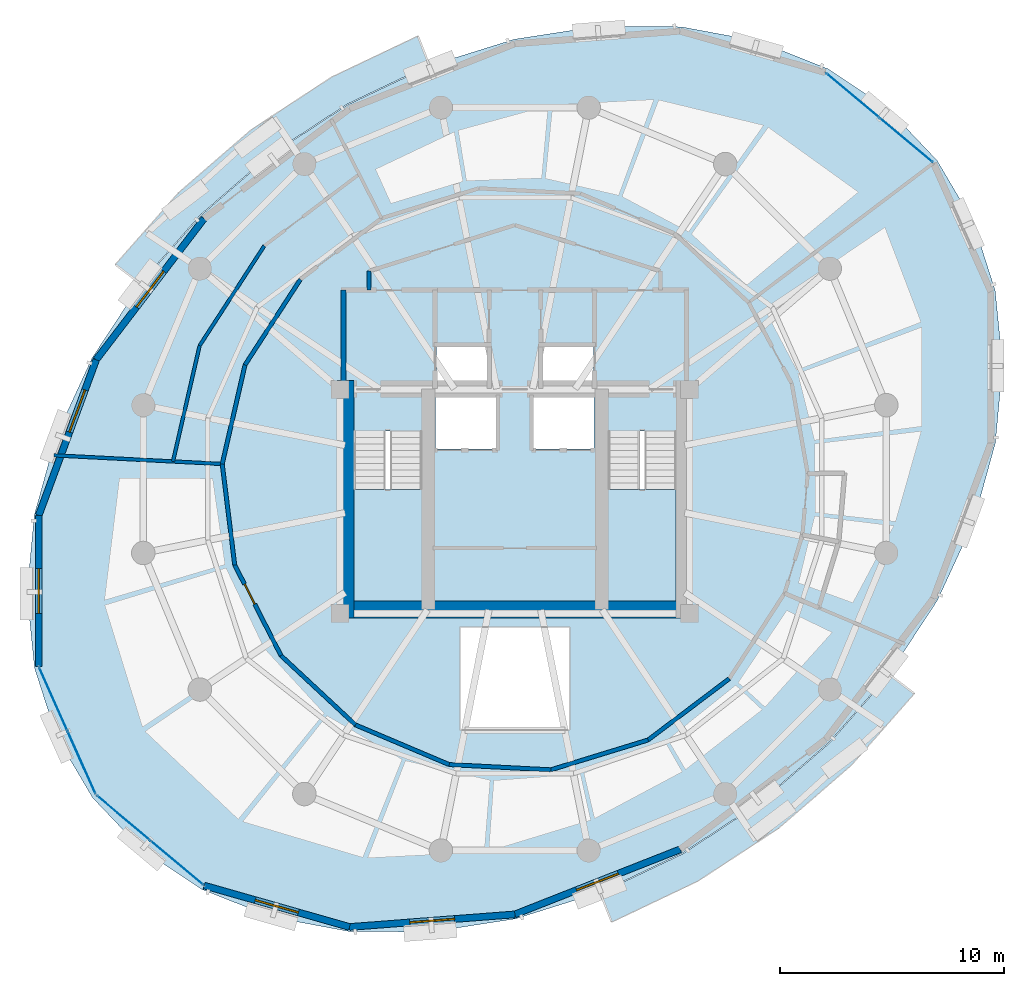
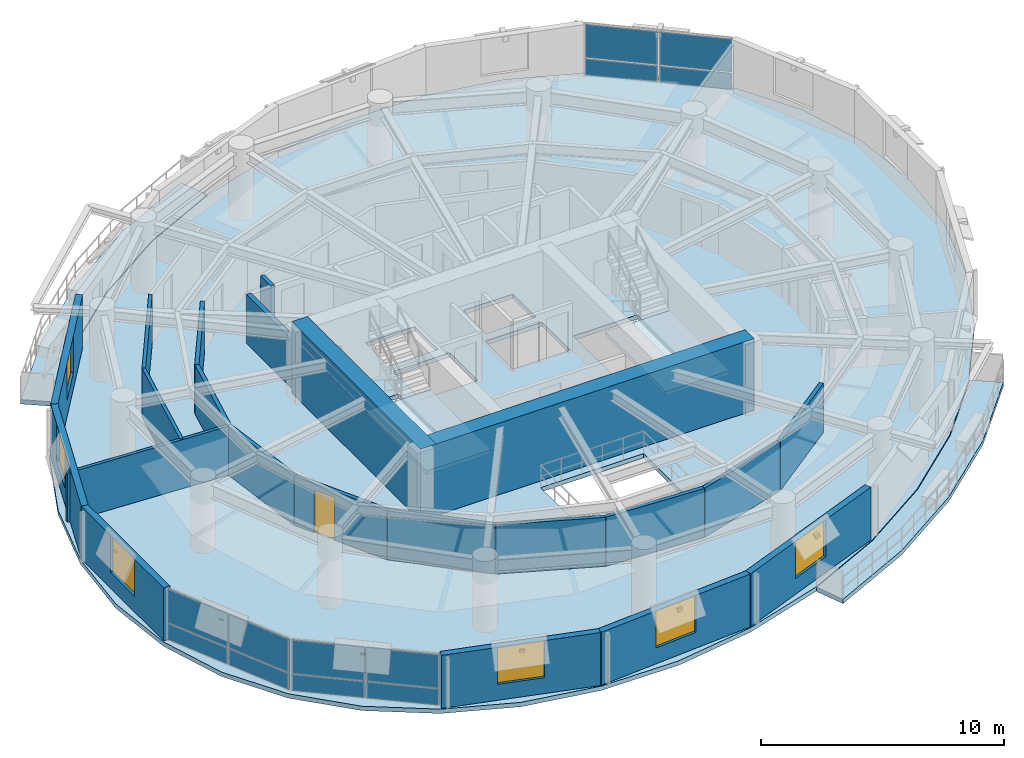
# One storey, part 7 of 12: 22 walls, 12 plates, 6 windows, 5 slabs, 1 door, 7 openings, 5 elements without a shape of their own.
"""IFC4 building model written with IfcOpenShell, lengths in metres."""

from ifc_helpers import new_model, si_unit, direction, frame, frame_2d, origin, origin_2d, place, context, subcontext, project, spatial, polyline, rectangle, outline, extrude, material, layer, layer_set, type_object, element, fill, aggregate, save


model = new_model("IFC4")

# Units and contexts
model_context = context("Model", 3, precision=1e-05, world=origin(), true_north=direction((0.0, 1.0)))
body_context = subcontext(model_context, "Body", "Model", "MODEL_VIEW")
ifc_project = project(units=[si_unit("LENGTHUNIT", "METRE"), si_unit("AREAUNIT", "SQUARE_METRE"), si_unit("VOLUMEUNIT", "CUBIC_METRE"), si_unit("PLANEANGLEUNIT", "RADIAN"), si_unit("MASSUNIT", "GRAM", prefix="KILO"), si_unit("THERMODYNAMICTEMPERATUREUNIT", "KELVIN"), si_unit("POWERUNIT", "WATT")], contexts=[model_context])

# Site, building, storey
site_placement = place(None, origin())
site = spatial("IfcSite", under=ifc_project, at=site_placement, CompositionType="ELEMENT")
building_placement = place(site_placement, origin())
building = spatial("IfcBuilding", under=site, at=building_placement, Name="Ocrelia Relay Tower", CompositionType="ELEMENT")
storey_placement = place(building_placement, frame((0.0, 0.0, 188.0)))
storey = spatial("IfcBuildingStorey", under=building, at=storey_placement, Name="L45", CompositionType="ELEMENT", Elevation=188.0)

# Curtain wall, plates
ifc_material_1 = material(Name="Aluminium and solar-control low-E glass", Category="aluminium")
ifc_layer_1 = layer(ifc_material_1, 0.179931640625, Name="Aluminium and solar-control low-E glass")
ifc_layer_set_1 = layer_set([ifc_layer_1], Name="Aluminium and solar-control low-E glass")
curtain_wall_type = type_object("IfcCurtainWallType", Name="CW-SYS-Z3-CLOU", PredefinedType="NOTDEFINED", material=ifc_layer_set_1)
curtain_wall_1_placement = place(storey_placement, origin())
curtain_wall_1 = element("IfcCurtainWall", 1, at=curtain_wall_1_placement, inside=storey, type_object=curtain_wall_type, Name="L45 Elliptical Tower Curtain Wall Bay 01", PredefinedType="NOTDEFINED")
ifc_material_2 = material(Name="Clear double-glazed low-E glass", Category="glass")
ifc_layer_2 = layer(ifc_material_2, 0.031982421875, Name="Clear double-glazed low-E glass")
ifc_layer_set_2 = layer_set([ifc_layer_2], Name="Clear double-glazed low-E glass")
plate_type = type_object("IfcPlateType", Name="CW-SYS-Z3-CLOU-PNL", PredefinedType="CURTAIN_PANEL", material=ifc_layer_set_2)
plate_1_placement = place(storey_placement, frame((51.459716796875, 41.1181640625, 0.06005859375), z_axis=(0.0, 0.0, 1.0), x_axis=(-0.766386416284, 0.642379841632, 0.0)))
plate_1 = element("IfcPlate", 2, at=plate_1_placement, type_object=plate_type, Name="CW-Z3 panel 1.1", PredefinedType="CURTAIN_PANEL", context=body_context, shape_type="SweptSolid", body=[
    extrude(rectangle(XDim=3.0439453125, YDim=0.031982421875, at=origin_2d()), origin(), (0.0, 0.0, 1.0), 0.81005859375),
])
plate_2_placement = place(storey_placement, frame((51.459716796875, 41.1181640625, 0.929931640625), z_axis=(0.0, 0.0, 1.0), x_axis=(-0.766386416284, 0.642379841632, 0.0)))
plate_2 = element("IfcPlate", 3, at=plate_2_placement, type_object=plate_type, Name="CW-Z3 panel 1.2", PredefinedType="CURTAIN_PANEL", context=body_context, shape_type="SweptSolid", body=[
    extrude(rectangle(XDim=3.0439453125, YDim=0.031982421875, at=origin_2d()), origin(), (0.0, 0.0, 1.0), 1.669921875),
])
plate_3_placement = place(storey_placement, frame((49.076904296875, 43.115234375, 0.06005859375), z_axis=(0.0, 0.0, 1.0), x_axis=(-0.766386416284, 0.642379841632, 0.0)))
plate_3 = element("IfcPlate", 4, at=plate_3_placement, type_object=plate_type, Name="CW-Z3 panel 2.1", PredefinedType="CURTAIN_PANEL", context=body_context, shape_type="SweptSolid", body=[
    extrude(rectangle(XDim=3.0439453125, YDim=0.031982421875, at=origin_2d()), origin(), (0.0, 0.0, 1.0), 0.81005859375),
])
plate_4_placement = place(storey_placement, frame((49.076904296875, 43.115234375, 0.929931640625), z_axis=(0.0, 0.0, 1.0), x_axis=(-0.766386416284, 0.642379841632, 0.0)))
plate_4 = element("IfcPlate", 5, at=plate_4_placement, type_object=plate_type, Name="CW-Z3 panel 2.2", PredefinedType="CURTAIN_PANEL", context=body_context, shape_type="SweptSolid", body=[
    extrude(rectangle(XDim=3.0439453125, YDim=0.031982421875, at=origin_2d()), origin(), (0.0, 0.0, 1.0), 1.669921875),
])
aggregate(curtain_wall_1, [plate_1, plate_2, plate_3, plate_4])

curtain_wall_2_placement = place(storey_placement, origin())
curtain_wall_2 = element("IfcCurtainWall", 6, at=curtain_wall_2_placement, inside=storey, type_object=curtain_wall_type, Name="L45 Elliptical Tower Curtain Wall Bay 09", PredefinedType="NOTDEFINED")
plate_5_placement = place(storey_placement, frame((13.408935546875, 16.188720703125, 0.06005859375), z_axis=(0.0, 0.0, 1.0), x_axis=(0.407850854361, -0.913048564205, 0.0)))
plate_5 = element("IfcPlate", 7, at=plate_5_placement, type_object=plate_type, Name="CW-Z3 panel 1.1", PredefinedType="CURTAIN_PANEL", context=body_context, shape_type="SweptSolid", body=[
    extrude(rectangle(XDim=3.0439453125, YDim=0.031982421875, at=origin_2d()), origin(), (0.0, 0.0, 1.0), 0.81005859375),
])
plate_6_placement = place(storey_placement, frame((13.408935546875, 16.188720703125, 0.929931640625), z_axis=(0.0, 0.0, 1.0), x_axis=(0.407850854361, -0.913048564205, 0.0)))
plate_6 = element("IfcPlate", 8, at=plate_6_placement, type_object=plate_type, Name="CW-Z3 panel 1.2", PredefinedType="CURTAIN_PANEL", context=body_context, shape_type="SweptSolid", body=[
    extrude(rectangle(XDim=3.0439453125, YDim=0.031982421875, at=origin_2d()), origin(), (0.0, 0.0, 1.0), 1.669921875),
])
plate_7_placement = place(storey_placement, frame((14.677001953125, 13.35009765625, 0.06005859375), z_axis=(0.0, 0.0, 1.0), x_axis=(0.407850854361, -0.913048564205, 0.0)))
plate_7 = element("IfcPlate", 9, at=plate_7_placement, type_object=plate_type, Name="CW-Z3 panel 2.1", PredefinedType="CURTAIN_PANEL", context=body_context, shape_type="SweptSolid", body=[
    extrude(rectangle(XDim=3.0439453125, YDim=0.031982421875, at=origin_2d()), origin(), (0.0, 0.0, 1.0), 0.81005859375),
])
plate_8_placement = place(storey_placement, frame((14.677001953125, 13.35009765625, 0.929931640625), z_axis=(0.0, 0.0, 1.0), x_axis=(0.407850854361, -0.913048564205, 0.0)))
plate_8 = element("IfcPlate", 10, at=plate_8_placement, type_object=plate_type, Name="CW-Z3 panel 2.2", PredefinedType="CURTAIN_PANEL", context=body_context, shape_type="SweptSolid", body=[
    extrude(rectangle(XDim=3.0439453125, YDim=0.031982421875, at=origin_2d()), origin(), (0.0, 0.0, 1.0), 1.669921875),
])
aggregate(curtain_wall_2, [plate_5, plate_6, plate_7, plate_8])

curtain_wall_3_placement = place(storey_placement, origin())
curtain_wall_3 = element("IfcCurtainWall", 11, at=curtain_wall_3_placement, inside=storey, type_object=curtain_wall_type, Name="L45 Elliptical Tower Curtain Wall Bay 10", PredefinedType="NOTDEFINED")
plate_9_placement = place(storey_placement, frame((16.540283203125, 10.8818359375, 0.06005859375), z_axis=(0.0, 0.0, 1.0), x_axis=(0.766386416284, -0.642379841632, 0.0)))
plate_9 = element("IfcPlate", 12, at=plate_9_placement, type_object=plate_type, Name="CW-Z3 panel 1.1", PredefinedType="CURTAIN_PANEL", context=body_context, shape_type="SweptSolid", body=[
    extrude(rectangle(XDim=3.0439453125, YDim=0.031982421875, at=origin_2d()), origin(), (0.0, 0.0, 1.0), 0.81005859375),
])
plate_10_placement = place(storey_placement, frame((16.540283203125, 10.8818359375, 0.929931640625), z_axis=(0.0, 0.0, 1.0), x_axis=(0.766386416284, -0.642379841632, 0.0)))
plate_10 = element("IfcPlate", 13, at=plate_10_placement, type_object=plate_type, Name="CW-Z3 panel 1.2", PredefinedType="CURTAIN_PANEL", context=body_context, shape_type="SweptSolid", body=[
    extrude(rectangle(XDim=3.0439453125, YDim=0.031982421875, at=origin_2d()), origin(), (0.0, 0.0, 1.0), 1.669921875),
])
plate_11_placement = place(storey_placement, frame((18.923095703125, 8.884765625, 0.06005859375), z_axis=(0.0, 0.0, 1.0), x_axis=(0.766386416284, -0.642379841632, 0.0)))
plate_11 = element("IfcPlate", 14, at=plate_11_placement, type_object=plate_type, Name="CW-Z3 panel 2.1", PredefinedType="CURTAIN_PANEL", context=body_context, shape_type="SweptSolid", body=[
    extrude(rectangle(XDim=3.0439453125, YDim=0.031982421875, at=origin_2d()), origin(), (0.0, 0.0, 1.0), 0.81005859375),
])
plate_12_placement = place(storey_placement, frame((18.923095703125, 8.884765625, 0.929931640625), z_axis=(0.0, 0.0, 1.0), x_axis=(0.766386416284, -0.642379841632, 0.0)))
plate_12 = element("IfcPlate", 15, at=plate_12_placement, type_object=plate_type, Name="CW-Z3 panel 2.2", PredefinedType="CURTAIN_PANEL", context=body_context, shape_type="SweptSolid", body=[
    extrude(rectangle(XDim=3.0439453125, YDim=0.031982421875, at=origin_2d()), origin(), (0.0, 0.0, 1.0), 1.669921875),
])
aggregate(curtain_wall_3, [plate_9, plate_10, plate_11, plate_12])

# Slabs
ifc_material_3 = material(Name="Precast concrete C40/50", Category="concrete")
ifc_layer_3 = layer(ifc_material_3, 0.219970703125, Name="Precast concrete C40/50")
ifc_layer_set_3 = layer_set([ifc_layer_3], Name="Precast concrete C40/50")
slab_type_1 = type_object("IfcSlabType", Name="SL-BALC-220", PredefinedType="FLOOR", material=ifc_layer_set_3)
slab_1_placement = place(storey_placement, frame((0.0, 0.0, -0.219970703125)))
element("IfcSlab", 16, at=slab_1_placement, inside=storey, type_object=slab_type_1, Name="L45 Planted Loggia Balcony B1", PredefinedType="FLOOR", context=body_context, shape_type="SweptSolid", body=[
    extrude(outline(polyline([(30.183349609375, 44.4658203125), (28.349853515625, 43.59375), (26.51611328125, 42.7216796875), (23.076416015625, 40.4697265625), (19.96826171875, 37.778564453125), (18.627197265625, 36.25390625), (17.2861328125, 34.7294921875), (16.177734375, 35.573974609375), (17.58251953125, 37.170654296875), (18.987060546875, 38.767578125), (22.237060546875, 41.581787109375), (25.833984375, 43.936279296875), (27.75439453125, 44.849853515625), (29.6748046875, 45.76318359375), (30.183349609375, 44.4658203125)])), origin(), (0.0, 0.0, 1.0), 0.219970703125),
])
slab_2_placement = place(storey_placement, frame((0.0, 0.0, -0.219970703125)))
element("IfcSlab", 17, at=slab_2_placement, inside=storey, type_object=slab_type_1, Name="L45 Planted Loggia Balcony B2", PredefinedType="FLOOR", context=body_context, shape_type="SweptSolid", body=[
    extrude(outline(polyline([(37.816650390625, 7.5341796875), (39.650146484375, 8.40625), (41.48388671875, 9.2783203125), (44.923583984375, 11.5302734375), (48.03173828125, 14.221435546875), (49.372802734375, 15.74609375), (50.7138671875, 17.2705078125), (51.822265625, 16.426025390625), (50.41748046875, 14.8291015625), (49.012939453125, 13.232421875), (45.762939453125, 10.418212890625), (42.166015625, 8.063720703125), (40.24560546875, 7.150146484375), (38.3251953125, 6.23681640625), (37.816650390625, 7.5341796875)])), origin(), (0.0, 0.0, 1.0), 0.219970703125),
])
ifc_material_4 = material(Name="Concrete C50/60", Category="concrete")
ifc_layer_4 = layer(ifc_material_4, 0.219970703125, Name="Concrete C50/60")
ifc_layer_set_4 = layer_set([ifc_layer_4], Name="Concrete C50/60")
slab_type_2 = type_object("IfcSlabType", Name="SL-FLR-220", PredefinedType="FLOOR", material=ifc_layer_set_4)
slab_3_placement = place(storey_placement, frame((0.0, 0.0, -0.219970703125)))
element("IfcSlab", 18, at=slab_3_placement, inside=storey, type_object=slab_type_2, Name="L45 Elliptical Tower Floor Slab", PredefinedType="FLOOR", context=body_context, shape_type="SweptSolid", body=[
    extrude(outline(polyline([(52.83544921875, 40.21923828125), (50.655517578125, 42.51171875), (47.969482421875, 44.302490234375), (44.859130859375, 45.537109375), (41.4189453125, 46.17822265625), (37.753173828125, 46.2060546875), (33.973388671875, 45.6201171875), (30.1943359375, 44.43798828125), (26.531005859375, 42.695556640625), (23.094482421875, 40.44580078125), (19.989501953125, 37.757080078125), (17.31005859375, 34.711181640625), (15.137939453125, 31.40087890625), (13.538818359375, 27.926025390625), (12.561279296875, 24.39306640625), (12.2353515625, 20.90869140625), (12.570556640625, 17.5791015625), (13.556884765625, 14.505126953125), (15.16455078125, 11.78076171875), (17.344482421875, 9.48828125), (20.030517578125, 7.697509765625), (23.140869140625, 6.462890625), (26.5810546875, 5.82177734375), (30.246826171875, 5.7939453125), (34.026611328125, 6.3798828125), (37.8056640625, 7.56201171875), (41.468994140625, 9.304443359375), (44.905517578125, 11.55419921875), (48.010498046875, 14.242919921875), (50.68994140625, 17.288818359375), (52.862060546875, 20.59912109375), (54.461181640625, 24.073974609375), (55.438720703125, 27.60693359375), (55.7646484375, 31.09130859375), (55.429443359375, 34.4208984375), (54.443115234375, 37.494873046875), (52.83544921875, 40.21923828125)]), holes=[polyline([(26.81005859375, 28.14990234375), (26.81005859375, 20.550048828125), (29.85009765625, 20.550048828125), (29.85009765625, 28.14990234375), (26.81005859375, 28.14990234375)]), polyline([(38.159912109375, 28.14990234375), (38.159912109375, 20.550048828125), (41.199951171875, 20.550048828125), (41.199951171875, 28.14990234375), (38.159912109375, 28.14990234375)]), polyline([(30.4599609375, 27.35009765625), (33.159912109375, 27.35009765625), (33.159912109375, 29.64990234375), (30.4599609375, 29.64990234375), (30.4599609375, 27.35009765625)]), polyline([(34.840087890625, 27.35009765625), (37.5400390625, 27.35009765625), (37.5400390625, 29.64990234375), (34.840087890625, 29.64990234375), (34.840087890625, 27.35009765625)]), polyline([(30.5, 30.10009765625), (32.85009765625, 30.10009765625), (32.85009765625, 32.0), (30.5, 32.0), (30.5, 30.10009765625)]), polyline([(35.14990234375, 30.10009765625), (37.5, 30.10009765625), (37.5, 32.0), (35.14990234375, 32.0), (35.14990234375, 30.10009765625)]), polyline([(31.550048828125, 14.800048828125), (36.449951171875, 14.800048828125), (36.449951171875, 19.39990234375), (31.550048828125, 19.39990234375), (31.550048828125, 14.800048828125)])]), origin(), (0.0, 0.0, 1.0), 0.219970703125),
])

# Stair, slab
stair_type = type_object("IfcStairType", Name="ST-DL-1420-R180", PredefinedType="HALF_TURN_STAIR", material=ifc_material_4)
stair_1_placement = place(storey_placement, origin())
stair_1 = element("IfcStair", 19, at=stair_1_placement, inside=storey, type_object=stair_type, Name="L45 West Core Exit Stair ST1", PredefinedType="HALF_TURN_STAIR")
ifc_layer_5 = layer(ifc_material_4, 0.199951171875, Name="Concrete C50/60")
ifc_layer_set_5 = layer_set([ifc_layer_5], Name="Concrete C50/60")
slab_type_3 = type_object("IfcSlabType", Name="SL-LANDING-200", PredefinedType="LANDING", material=ifc_layer_set_5)
slab_4_placement = place(storey_placement, frame((0.0, 0.0, 1.60009765625)))
slab_4 = element("IfcSlab", 20, at=slab_4_placement, type_object=slab_type_3, Name="ST1 landing 1", PredefinedType="LANDING", context=body_context, shape_type="SweptSolid", body=[
    extrude(outline(polyline([(26.81005859375, 25.5400390625), (26.81005859375, 20.550048828125), (29.85009765625, 20.550048828125), (29.85009765625, 25.5400390625), (26.81005859375, 25.5400390625)])), origin(), (0.0, 0.0, 1.0), 0.199951171875),
])
aggregate(stair_1, [slab_4])

stair_2_placement = place(storey_placement, origin())
stair_2 = element("IfcStair", 21, at=stair_2_placement, inside=storey, type_object=stair_type, Name="L45 East Core Exit Stair ST2", PredefinedType="HALF_TURN_STAIR")
slab_5_placement = place(storey_placement, frame((0.0, 0.0, 1.60009765625)))
slab_5 = element("IfcSlab", 22, at=slab_5_placement, type_object=slab_type_3, Name="ST2 landing 1", PredefinedType="LANDING", context=body_context, shape_type="SweptSolid", body=[
    extrude(outline(polyline([(38.159912109375, 25.5400390625), (38.159912109375, 20.550048828125), (41.199951171875, 20.550048828125), (41.199951171875, 25.5400390625), (38.159912109375, 25.5400390625)])), origin(), (0.0, 0.0, 1.0), 0.199951171875),
])
aggregate(stair_2, [slab_5])

# Walls
ifc_material_5 = material(Name="Concrete C60/75", Category="concrete")
ifc_layer_6 = layer(ifc_material_5, 0.75, Name="Concrete C60/75")
ifc_layer_set_6 = layer_set([ifc_layer_6], Name="Concrete C60/75")
wall_type_1 = type_object("IfcWallType", Name="CW-CORE-750", PredefinedType="SHEAR", material=ifc_layer_set_6)
wall_1_placement = place(storey_placement, frame((26.072021484375, 20.18701171875, 0.0), z_axis=(0.0, 0.0, 1.0), x_axis=(1.0, 0.0, 0.0)))
element("IfcWall", 23, at=wall_1_placement, inside=storey, type_object=wall_type_1, Name="L45 Core Shear Wall S", PredefinedType="SHEAR", context=body_context, shape_type="SweptSolid", body=[
    extrude(rectangle(XDim=15.865966796875, YDim=0.75, at=frame_2d((7.93310546875, 0.0))), origin(), (0.0, 0.0, 1.0), 3.60009765625),
])
wall_2_placement = place(storey_placement, frame((26.447021484375, 19.81201171875, 0.0), z_axis=(0.0, 0.0, 1.0), x_axis=(0.0, 1.0, 0.0)))
element("IfcWall", 24, at=wall_2_placement, inside=storey, type_object=wall_type_1, Name="L45 Core Shear Wall W", PredefinedType="SHEAR", context=body_context, shape_type="SweptSolid", body=[
    extrude(rectangle(XDim=10.575927734375, YDim=0.75, at=frame_2d((5.2880859375, 0.0))), origin(), (0.0, 0.0, 1.0), 3.60009765625),
])
ifc_material_6 = material(Name="Gypsum Fireboard Partition EI60", Category="gypsum")
ifc_layer_7 = layer(ifc_material_6, 0.179931640625, Name="Gypsum Fireboard Partition EI60")
ifc_layer_set_7 = layer_set([ifc_layer_7], Name="Gypsum Fireboard Partition EI60")
wall_type_2 = type_object("IfcWallType", Name="W-CORR-EI60-180", PredefinedType="PARTITIONING", material=ifc_layer_set_7)
wall_3_placement = place(storey_placement, frame((27.5, 34.429931640625, 0.0), z_axis=(0.0, 0.0, 1.0), x_axis=(0.0, 1.0, 0.0)))
element("IfcWall", 25, at=wall_3_placement, inside=storey, type_object=wall_type_2, Name="L45 Smoke Lobby West Return", PredefinedType="PARTITIONING", context=body_context, shape_type="SweptSolid", body=[
    extrude(rectangle(XDim=0.85009765625, YDim=0.179931640625, at=frame_2d((0.425048828125, 0.0))), origin(), (0.0, 0.0, 1.0), 2.4599609375),
])
wall_4_placement = place(storey_placement, frame((24.433349609375, 34.905517578125, 0.0), z_axis=(0.0, 0.0, 1.0), x_axis=(-0.543880023755, -0.839162987601, 0.0)))
element("IfcWall", 26, at=wall_4_placement, inside=storey, type_object=wall_type_2, Name="L45 Executive Reading Study Corridor Partition 2", PredefinedType="PARTITIONING", context=body_context, shape_type="SweptSolid", body=[
    extrude(rectangle(XDim=4.5390625, YDim=0.179931640625, at=frame_2d((2.26953125, 0.0))), origin(), (0.0, 0.0, 1.0), 2.4599609375),
])
for number, where, z_axis, x_axis, name in (
    (27, (21.964599609375, 31.096435546875, 0.0), (0.0, 0.0, 1.0), (-0.224117043867, -0.97456223539, 0.0), "L45 Executive Reading Study Corridor Partition 3"),
    (28, (20.947265625, 26.672607421875, 0.0), (0.0, 0.0, 1.0), (0.12273717097, -0.992439210663, 0.0), "L45 Quiet Day Study Corridor Partition 1"),
):
    element("IfcWall", number, at=place(storey_placement, frame(where, z_axis=z_axis, x_axis=x_axis)), inside=storey, type_object=wall_type_2, Name=name, PredefinedType="PARTITIONING", context=body_context, shape_type="SweptSolid", body=[
        extrude(rectangle(XDim=4.539306640625, YDim=0.179931640625, at=frame_2d((2.26953125, 0.0))), origin(), (0.0, 0.0, 1.0), 2.4599609375),
    ])

# Wall, opening, door
wall_5_placement = place(storey_placement, frame((21.50439453125, 22.167724609375, 0.0), z_axis=(0.0, 0.0, 1.0), x_axis=(0.454770802501, -0.890608509499, 0.0)))
wall_5 = element("IfcWall", 29, at=wall_5_placement, inside=storey, type_object=wall_type_2, Name="L45 Quiet Day Study Corridor Partition 2", PredefinedType="PARTITIONING", context=body_context, shape_type="SweptSolid", body=[
    extrude(rectangle(XDim=4.5390625, YDim=0.179931640625, at=frame_2d((2.26953125, 0.0))), origin(), (0.0, 0.0, 1.0), 2.4599609375),
])
opening_1_placement = place(wall_5_placement, frame((0.959716796875, 0.0, 0.0)))
opening_1 = element("IfcOpeningElement", 30, at=opening_1_placement, cuts=wall_5, Name="Opening D-RM100", PredefinedType="OPENING", context=body_context, shape_type="SweptSolid", body=[
    extrude(rectangle(XDim=1.0, YDim=2.14990234375, at=frame_2d((0.5, 1.074951171875))), frame((0.0, 0.10009765625, 0.0), z_axis=(0.0, -1.0, 0.0), x_axis=(1.0, 0.0, 0.0)), (0.0, 0.0, 1.0), 0.199951171875),
])
ifc_material_7 = material(Name="Acoustic oak veneer fire door", Category="wood")
door_type = type_object("IfcDoorType", Name="DR-ROOM-FD60-1000", OperationType="NOTDEFINED", PredefinedType="DOOR", material=ifc_material_7)
door_placement = place(opening_1_placement, origin())
door = element("IfcDoor", 31, at=door_placement, inside=storey, type_object=door_type, Name="L45 Quiet Day Study Entrance Door", OperationType="SINGLE_SWING_RIGHT", OverallHeight=2.14990234375, OverallWidth=1.0, PredefinedType="DOOR", context=body_context, shape_type="SweptSolid", body=[
    extrude(rectangle(XDim=1.0, YDim=2.14990234375, at=frame_2d((0.5, 1.074951171875))), frame((0.0, 0.02490234375, 0.0), z_axis=(0.0, -1.0, 0.0), x_axis=(1.0, 0.0, 0.0)), (0.0, 0.0, 1.0), 0.050048828125),
])
fill(opening_1, door)

# Walls
for number, where, z_axis, x_axis, name in (
    (32, (23.568603515625, 18.125244140625, 0.0), (0.0, 0.0, 1.0), (0.731959643507, -0.681347987652, 0.0), "L45 Quiet Day Study Corridor Partition 3"),
    (33, (26.89111328125, 15.032470703125, 0.0), (0.0, 0.0, 1.0), (0.92084175152, -0.389936493109, 0.0), "L45 Quiet Day Study Corridor Partition 4"),
    (34, (31.071044921875, 13.262451171875, 0.0), (0.0, 0.0, 1.0), (0.998674439875, -0.051471964614, 0.0), "L45 Quiet Day Study Corridor Partition 5"),
):
    element("IfcWall", number, at=place(storey_placement, frame(where, z_axis=z_axis, x_axis=x_axis)), inside=storey, type_object=wall_type_2, Name=name, PredefinedType="PARTITIONING", context=body_context, shape_type="SweptSolid", body=[
        extrude(rectangle(XDim=4.539306640625, YDim=0.179931640625, at=frame_2d((2.26953125, 0.0))), origin(), (0.0, 0.0, 1.0), 2.4599609375),
    ])
for number, where, z_axis, x_axis, name in (
    (35, (35.604248046875, 13.02880859375, 0.0), (0.0, 0.0, 1.0), (0.956054208196, 0.29318995718, 0.0), "L45 Quiet Day Study Corridor Partition 6"),
    (36, (39.94384765625, 14.359619140625, 0.0), (0.0, 0.0, 1.0), (0.798117902905, 0.602501297146, 0.0), "L45 Quiet Day Study Corridor Partition 7"),
):
    element("IfcWall", number, at=place(storey_placement, frame(where, z_axis=z_axis, x_axis=x_axis)), inside=storey, type_object=wall_type_2, Name=name, PredefinedType="PARTITIONING", context=body_context, shape_type="SweptSolid", body=[
        extrude(rectangle(XDim=4.5390625, YDim=0.179931640625, at=frame_2d((2.26953125, 0.0))), origin(), (0.0, 0.0, 1.0), 2.4599609375),
    ])

# Wall, opening, window
ifc_material_8 = material(Name="Precast concrete C40/50 with oxide terracotta", Category="masonry")
ifc_layer_8 = layer(ifc_material_8, 0.300048828125, Name="Precast concrete C40/50 with oxide terracotta")
ifc_layer_set_8 = layer_set([ifc_layer_8], Name="Precast concrete C40/50 with oxide terracotta")
wall_type_3 = type_object("IfcWallType", Name="W-EXT-TERR-300", PredefinedType="SOLIDWALL", material=ifc_layer_set_8)
wall_6_placement = place(storey_placement, frame((20.135986328125, 37.620849609375, 0.0), z_axis=(0.0, 0.0, 1.0), x_axis=(-0.607272903693, -0.794493310507, 0.0)))
wall_6 = element("IfcWall", 37, at=wall_6_placement, inside=storey, type_object=wall_type_3, Name="L45 Oxide Terracotta Facade Wall 06", PredefinedType="SOLIDWALL", context=body_context, shape_type="SweptSolid", body=[
    extrude(rectangle(XDim=7.92724609375, YDim=0.300048828125, at=frame_2d((3.963623046875, 0.0))), origin(), (0.0, 0.0, 1.0), 2.659912109375),
])
opening_2_placement = place(wall_6_placement, frame((2.964111328125, 0.0, 0.800048828125)))
opening_2 = element("IfcOpeningElement", 38, at=opening_2_placement, cuts=wall_6, Name="Opening W-03", PredefinedType="OPENING", context=body_context, shape_type="SweptSolid", body=[
    extrude(rectangle(XDim=2.0, YDim=1.85009765625, at=frame_2d((1.0, 0.925048828125))), frame((0.0, 0.16015625, 0.0), z_axis=(0.0, -1.0, 0.0), x_axis=(1.0, 0.0, 0.0)), (0.0, 0.0, 1.0), 0.320068359375),
])
window_type = type_object("IfcWindowType", Name="WIN-Z3-2000x2200", PartitioningType="DOUBLE_PANEL_VERTICAL", PredefinedType="WINDOW", material=ifc_material_2)
window_1_placement = place(opening_2_placement, origin())
window_1 = element("IfcWindow", 39, at=window_1_placement, inside=storey, type_object=window_type, Name="L45 Facade Module Window 06", OverallHeight=1.85009765625, OverallWidth=2.0, PartitioningType="SINGLE_PANEL", PredefinedType="WINDOW", context=body_context, shape_type="SweptSolid", body=[
    extrude(rectangle(XDim=2.0, YDim=1.85009765625, at=frame_2d((1.0, 0.925048828125))), frame((0.0, 0.030029296875, 0.0), z_axis=(0.0, -1.0, 0.0), x_axis=(1.0, 0.0, 0.0)), (0.0, 0.0, 1.0), 0.06005859375),
])
fill(opening_2, window_1)

wall_7_placement = place(storey_placement, frame((15.322021484375, 31.32275390625, 0.0), z_axis=(0.0, 0.0, 1.0), x_axis=(-0.346206962983, -0.938158162989, 0.0)))
wall_7 = element("IfcWall", 40, at=wall_7_placement, inside=storey, type_object=wall_type_3, Name="L45 Oxide Terracotta Facade Wall 07", PredefinedType="SOLIDWALL", context=body_context, shape_type="SweptSolid", body=[
    extrude(rectangle(XDim=7.3974609375, YDim=0.300048828125, at=frame_2d((3.69873046875, 0.0))), origin(), (0.0, 0.0, 1.0), 2.659912109375),
])
opening_3_placement = place(wall_7_placement, frame((1.43896484375, 0.0, 0.800048828125)))
opening_3 = element("IfcOpeningElement", 41, at=opening_3_placement, cuts=wall_7, Name="Opening W-03", PredefinedType="OPENING", context=body_context, shape_type="SweptSolid", body=[
    extrude(rectangle(XDim=2.0, YDim=1.85009765625, at=frame_2d((1.0, 0.925048828125))), frame((0.0, 0.16015625, 0.0), z_axis=(0.0, -1.0, 0.0), x_axis=(1.0, 0.0, 0.0)), (0.0, 0.0, 1.0), 0.320068359375),
])
window_2_placement = place(opening_3_placement, origin())
window_2 = element("IfcWindow", 42, at=window_2_placement, inside=storey, type_object=window_type, Name="L45 Facade Module Window 07", OverallHeight=1.85009765625, OverallWidth=2.0, PartitioningType="SINGLE_PANEL", PredefinedType="WINDOW", context=body_context, shape_type="SweptSolid", body=[
    extrude(rectangle(XDim=2.0, YDim=1.85009765625, at=frame_2d((1.0, 0.925048828125))), frame((0.0, 0.030029296875, 0.0), z_axis=(0.0, -1.0, 0.0), x_axis=(1.0, 0.0, 0.0)), (0.0, 0.0, 1.0), 0.06005859375),
])
fill(opening_3, window_2)

wall_8_placement = place(storey_placement, frame((12.760986328125, 24.3828125, 0.0), z_axis=(0.0, 0.0, 1.0), x_axis=(0.000108585492, -0.999999994105, 0.0)))
wall_8 = element("IfcWall", 43, at=wall_8_placement, inside=storey, type_object=wall_type_3, Name="L45 Oxide Terracotta Facade Wall 08", PredefinedType="SOLIDWALL", context=body_context, shape_type="SweptSolid", body=[
    extrude(rectangle(XDim=6.7451171875, YDim=0.300048828125, at=frame_2d((3.37255859375, 0.0))), origin(), (0.0, 0.0, 1.0), 2.659912109375),
])
opening_4_placement = place(wall_8_placement, frame((2.373046875, 0.0, 0.800048828125)))
opening_4 = element("IfcOpeningElement", 44, at=opening_4_placement, cuts=wall_8, Name="Opening W-03", PredefinedType="OPENING", context=body_context, shape_type="SweptSolid", body=[
    extrude(rectangle(XDim=2.0, YDim=1.85009765625, at=frame_2d((1.0, 0.925048828125))), frame((0.0, 0.16015625, 0.0), z_axis=(0.0, -1.0, 0.0), x_axis=(1.0, 0.0, 0.0)), (0.0, 0.0, 1.0), 0.320068359375),
])
window_3_placement = place(opening_4_placement, origin())
window_3 = element("IfcWindow", 45, at=window_3_placement, inside=storey, type_object=window_type, Name="L45 Facade Module Window 08", OverallHeight=1.85009765625, OverallWidth=2.0, PartitioningType="SINGLE_PANEL", PredefinedType="WINDOW", context=body_context, shape_type="SweptSolid", body=[
    extrude(rectangle(XDim=2.0, YDim=1.85009765625, at=frame_2d((1.0, 0.925048828125))), frame((0.0, 0.030029296875, 0.0), z_axis=(0.0, -1.0, 0.0), x_axis=(1.0, 0.0, 0.0)), (0.0, 0.0, 1.0), 0.06005859375),
])
fill(opening_4, window_3)

wall_9_placement = place(storey_placement, frame((20.13916015625, 7.865234375, 0.0), z_axis=(0.0, 0.0, 1.0), x_axis=(0.961709484918, -0.27407091531, 0.0)))
wall_9 = element("IfcWall", 46, at=wall_9_placement, inside=storey, type_object=wall_type_3, Name="L45 Oxide Terracotta Facade Wall 11", PredefinedType="SOLIDWALL", context=body_context, shape_type="SweptSolid", body=[
    extrude(rectangle(XDim=6.7451171875, YDim=0.300048828125, at=frame_2d((3.37255859375, 0.0))), origin(), (0.0, 0.0, 1.0), 2.659912109375),
])
opening_5_placement = place(wall_9_placement, frame((2.373046875, 0.0, 0.800048828125)))
opening_5 = element("IfcOpeningElement", 47, at=opening_5_placement, cuts=wall_9, Name="Opening W-03", PredefinedType="OPENING", context=body_context, shape_type="SweptSolid", body=[
    extrude(rectangle(XDim=2.0, YDim=1.85009765625, at=frame_2d((1.0, 0.925048828125))), frame((0.0, 0.16015625, 0.0), z_axis=(0.0, -1.0, 0.0), x_axis=(1.0, 0.0, 0.0)), (0.0, 0.0, 1.0), 0.320068359375),
])
window_4_placement = place(opening_5_placement, origin())
window_4 = element("IfcWindow", 48, at=window_4_placement, inside=storey, type_object=window_type, Name="L45 Facade Module Window 11", OverallHeight=1.85009765625, OverallWidth=2.0, PartitioningType="SINGLE_PANEL", PredefinedType="WINDOW", context=body_context, shape_type="SweptSolid", body=[
    extrude(rectangle(XDim=2.0, YDim=1.85009765625, at=frame_2d((1.0, 0.925048828125))), frame((0.0, 0.030029296875, 0.0), z_axis=(0.0, -1.0, 0.0), x_axis=(1.0, 0.0, 0.0)), (0.0, 0.0, 1.0), 0.06005859375),
])
fill(opening_5, window_4)

wall_10_placement = place(storey_placement, frame((26.6259765625, 6.0166015625, 0.0), z_axis=(0.0, 0.0, 1.0), x_axis=(0.997112438205, 0.075939354593, 0.0)))
wall_10 = element("IfcWall", 49, at=wall_10_placement, inside=storey, type_object=wall_type_3, Name="L45 Oxide Terracotta Facade Wall 12", PredefinedType="SOLIDWALL", context=body_context, shape_type="SweptSolid", body=[
    extrude(rectangle(XDim=7.3974609375, YDim=0.300048828125, at=frame_2d((3.69873046875, 0.0))), origin(), (0.0, 0.0, 1.0), 2.659912109375),
])
opening_6_placement = place(wall_10_placement, frame((2.698974609375, 0.0, 0.800048828125)))
opening_6 = element("IfcOpeningElement", 50, at=opening_6_placement, cuts=wall_10, Name="Opening W-03", PredefinedType="OPENING", context=body_context, shape_type="SweptSolid", body=[
    extrude(rectangle(XDim=2.0, YDim=1.85009765625, at=frame_2d((1.0, 0.925048828125))), frame((0.0, 0.16015625, 0.0), z_axis=(0.0, -1.0, 0.0), x_axis=(1.0, 0.0, 0.0)), (0.0, 0.0, 1.0), 0.320068359375),
])
window_5_placement = place(opening_6_placement, origin())
window_5 = element("IfcWindow", 51, at=window_5_placement, inside=storey, type_object=window_type, Name="L45 Facade Module Window 12", OverallHeight=1.85009765625, OverallWidth=2.0, PartitioningType="SINGLE_PANEL", PredefinedType="WINDOW", context=body_context, shape_type="SweptSolid", body=[
    extrude(rectangle(XDim=2.0, YDim=1.85009765625, at=frame_2d((1.0, 0.925048828125))), frame((0.0, 0.030029296875, 0.0), z_axis=(0.0, -1.0, 0.0), x_axis=(1.0, 0.0, 0.0)), (0.0, 0.0, 1.0), 0.06005859375),
])
fill(opening_6, window_5)

wall_11_placement = place(storey_placement, frame((34.002197265625, 6.578369140625, 0.0), z_axis=(0.0, 0.0, 1.0), x_axis=(0.930468213674, 0.366372629084, 0.0)))
wall_11 = element("IfcWall", 52, at=wall_11_placement, inside=storey, type_object=wall_type_3, Name="L45 Oxide Terracotta Facade Wall 13", PredefinedType="SOLIDWALL", context=body_context, shape_type="SweptSolid", body=[
    extrude(rectangle(XDim=7.92724609375, YDim=0.300048828125, at=frame_2d((3.963623046875, 0.0))), origin(), (0.0, 0.0, 1.0), 2.659912109375),
])
opening_7_placement = place(wall_11_placement, frame((2.964111328125, 0.0, 0.800048828125)))
opening_7 = element("IfcOpeningElement", 53, at=opening_7_placement, cuts=wall_11, Name="Opening W-03", PredefinedType="OPENING", context=body_context, shape_type="SweptSolid", body=[
    extrude(rectangle(XDim=2.0, YDim=1.85009765625, at=frame_2d((1.0, 0.925048828125))), frame((0.0, 0.16015625, 0.0), z_axis=(0.0, -1.0, 0.0), x_axis=(1.0, 0.0, 0.0)), (0.0, 0.0, 1.0), 0.320068359375),
])
window_6_placement = place(opening_7_placement, origin())
window_6 = element("IfcWindow", 54, at=window_6_placement, inside=storey, type_object=window_type, Name="L45 Facade Module Window 13", OverallHeight=1.85009765625, OverallWidth=2.0, PartitioningType="SINGLE_PANEL", PredefinedType="WINDOW", context=body_context, shape_type="SweptSolid", body=[
    extrude(rectangle(XDim=2.0, YDim=1.85009765625, at=frame_2d((1.0, 0.925048828125))), frame((0.0, 0.030029296875, 0.0), z_axis=(0.0, -1.0, 0.0), x_axis=(1.0, 0.0, 0.0)), (0.0, 0.0, 1.0), 0.06005859375),
])
fill(opening_7, window_6)

# Walls
ifc_layer_9 = layer(ifc_material_4, 0.219970703125, Name="Concrete C50/60")
ifc_layer_set_9 = layer_set([ifc_layer_9], Name="Concrete C50/60")
wall_type_4 = type_object("IfcWallType", Name="W-FFL-EI120-220", PredefinedType="SOLIDWALL", material=ifc_layer_set_9)
wall_12_placement = place(storey_placement, frame((26.35009765625, 30.050048828125, 0.0), z_axis=(0.0, 0.0, 1.0), x_axis=(0.0, 1.0, 0.0)))
element("IfcWall", 55, at=wall_12_placement, inside=storey, type_object=wall_type_4, Name="L45 W Fire Service Lift Lobby West Wall", PredefinedType="SOLIDWALL", context=body_context, shape_type="SweptSolid", body=[
    extrude(rectangle(XDim=4.3798828125, YDim=0.219970703125, at=frame_2d((2.18994140625, 0.0))), origin(), (0.0, 0.0, 1.0), 2.4599609375),
])
ifc_material_9 = material(Name="Acoustic Fireboard Partition EI60", Category="gypsum")
ifc_layer_10 = layer(ifc_material_9, 0.14990234375, Name="Acoustic Fireboard Partition EI60")
ifc_layer_set_10 = layer_set([ifc_layer_10], Name="Acoustic Fireboard Partition EI60")
wall_type_5 = type_object("IfcWallType", Name="W-PART-150", PredefinedType="PARTITIONING", material=ifc_layer_set_10)
wall_13_placement = place(storey_placement, frame((20.947265625, 26.672607421875, 0.0), z_axis=(0.0, 0.0, 1.0), x_axis=(-0.998674712131, 0.051466681945, 0.0)))
element("IfcWall", 56, at=wall_13_placement, inside=storey, type_object=wall_type_5, Name="L45 Executive Reading Study Radial Partition", PredefinedType="PARTITIONING", context=body_context, shape_type="SweptSolid", body=[
    extrude(rectangle(XDim=7.50927734375, YDim=0.14990234375, at=frame_2d((3.754638671875, 0.0))), origin(), (0.0, 0.0, 1.0), 2.4599609375),
])
for number, where, z_axis, x_axis, name in (
    (57, (22.822998046875, 36.404296875, 0.0), (0.0, 0.0, 1.0), (-0.543881046069, -0.839162325016, 0.0), "L45 Perimeter Executive Reading Study Mid-Ring Partition 2"),
    (58, (19.938720703125, 31.9541015625, 0.0), (0.0, 0.0, 1.0), (-0.22410965261, -0.974563935105, 0.0), "L45 Perimeter Executive Reading Study Mid-Ring Partition 3"),
):
    element("IfcWall", number, at=place(storey_placement, frame(where, z_axis=z_axis, x_axis=x_axis)), inside=storey, type_object=wall_type_5, Name=name, PredefinedType="PARTITIONING", context=body_context, shape_type="SweptSolid", body=[
        extrude(rectangle(XDim=5.30322265625, YDim=0.14990234375, at=frame_2d((2.651611328125, 0.0))), origin(), (0.0, 0.0, 1.0), 2.4599609375),
    ])

save(model, "model.ifc")
